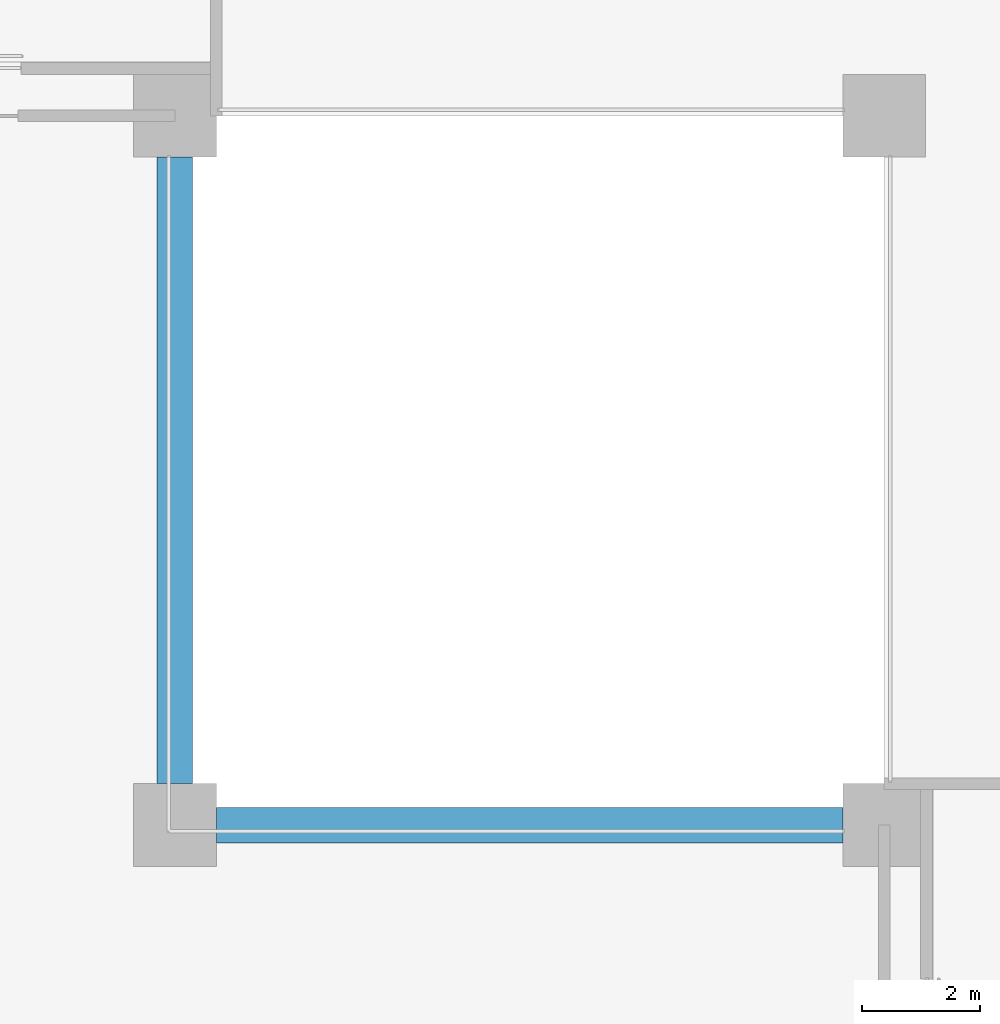
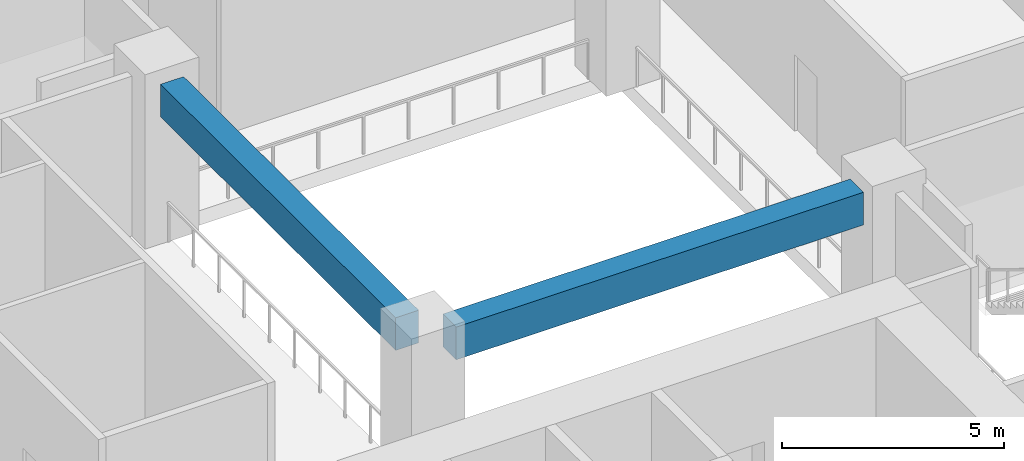
# One storey, part 6 of 31: 2 beams.
"""IFC4 building model written with IfcOpenShell, lengths in metres."""

from ifc_helpers import new_model, si_unit, direction, frame, origin, origin_2d, place, context, subcontext, project, spatial, rectangle, extrude, material, material_profile, profile_set, type_object, element, save


model = new_model("IFC4")

# Units and contexts
model_context = context("Model", 3, precision=1e-05, world=origin(), true_north=direction((0.0, 1.0)))
body_context = subcontext(model_context, "Body", "Model", "MODEL_VIEW")
ifc_project = project(units=[si_unit("LENGTHUNIT", "METRE"), si_unit("AREAUNIT", "SQUARE_METRE"), si_unit("VOLUMEUNIT", "CUBIC_METRE"), si_unit("PLANEANGLEUNIT", "RADIAN"), si_unit("MASSUNIT", "GRAM", prefix="KILO")], contexts=[model_context])

# Site, building, storey
site_placement = place(None, origin())
site = spatial("IfcSite", under=ifc_project, at=site_placement, CompositionType="ELEMENT")
building_placement = place(site_placement, origin())
building = spatial("IfcBuilding", under=site, at=building_placement, Name="Chenar Terraces", CompositionType="ELEMENT")
storey_placement = place(building_placement, frame((0.0, 0.0, 7.199951171875)))
storey = spatial("IfcBuildingStorey", under=building, at=storey_placement, Name="L01", CompositionType="ELEMENT", Elevation=7.199951171875)

# Beams
ifc_material = material(Name="Concrete C40/50", Category="concrete")
ifc_material_profile = material_profile(ifc_material, rectangle(XDim=0.60009765625, YDim=0.89990234375, at=origin_2d()), Name="RC 600 x 900")
ifc_profile_set = profile_set([ifc_material_profile], Name="Concrete C40/50")
beam_type = type_object("IfcBeamType", Name="Atrium edge beam 600 x 900 Concrete C40/50", PredefinedType="BEAM", material=ifc_profile_set)
for number, where, z_axis, x_axis, name in (
    (1, (24.699951171875, 24.0, 3.949951171875), (1.0, 0.0, 0.0), (0.0, 1.0, 0.0), "Atrium edge beam L02 1"),
    (2, (24.0, 35.300048828125, 3.949951171875), (0.0, -1.0, 0.0), (1.0, 0.0, 0.0), "Atrium edge beam L02 4"),
):
    element("IfcBeam", number, at=place(storey_placement, frame(where, z_axis=z_axis, x_axis=x_axis)), inside=storey, type_object=beam_type, Name=name, PredefinedType="BEAM", context=body_context, shape_type="SweptSolid", body=[
        extrude(rectangle(XDim=0.60009765625, YDim=0.89990234375, at=origin_2d()), origin(), (0.0, 0.0, 1.0), 10.60009765625),
    ])

save(model, "model.ifc")
